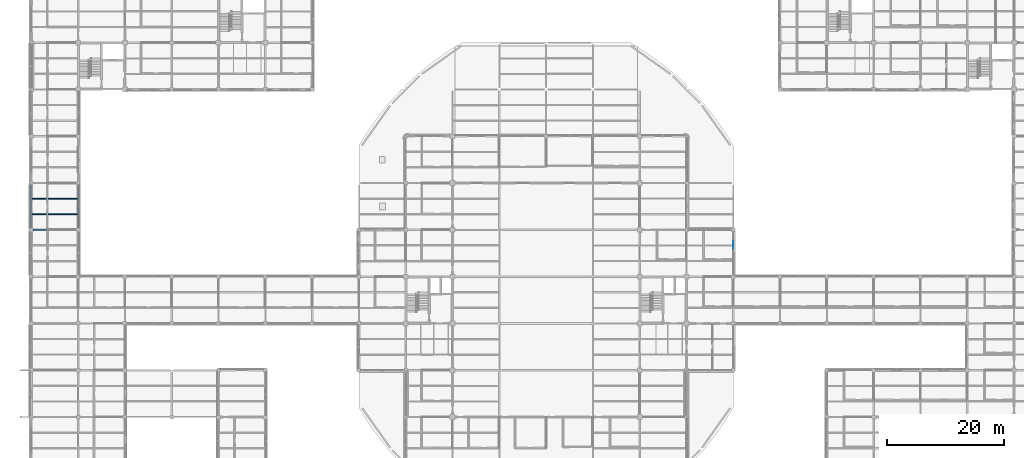
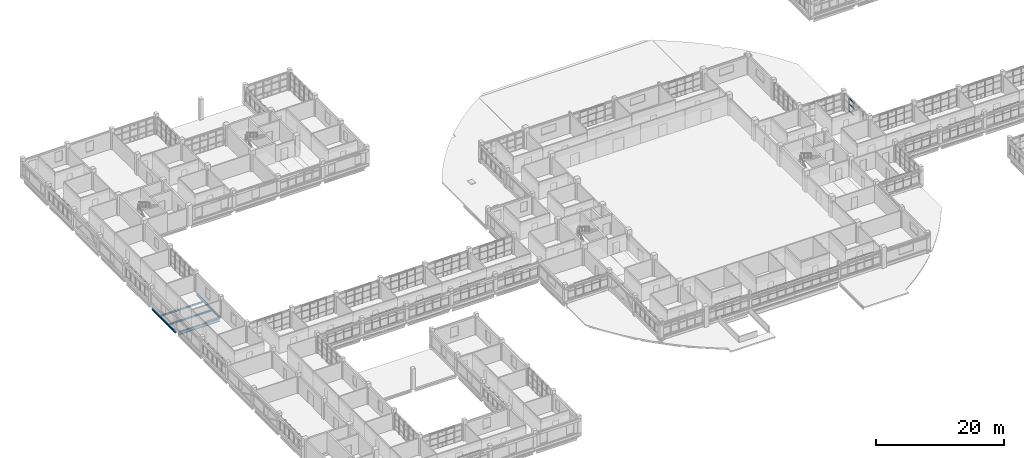
# One storey, part 31 of 126: 5 beams, 3 members, 1 element without a shape of its own.
"""IFC4 building model written with IfcOpenShell, lengths in metres."""

import ifcopenshell
import ifcopenshell.guid

model = None  # the IFC model being written
_history = None  # IfcOwnerHistory: only IFC2X3 demands one
_inside = {}  # id of a spatial element -> (the spatial element, [elements in it])
_under = {}  # id of a project, library or spatial element -> (it, [spatial elements below it])
_declared = {}  # id of a project -> (the project, [libraries it declares])
_typed = {}  # id of a type object -> (the type object, [elements of that type])
_made_of = {}  # id of a material, layer set ... -> (it, [elements and type objects made of it])


def new_model(schema):
    """Start an empty IFC model of exactly this schema.

    Asked for "IFC4X3", IfcOpenShell would pick the latest addendum, in which some entities
    have other attributes; the version numbers below select the first issue.
    IFC2X3 requires an IfcOwnerHistory on every rooted entity: one is made here for all.
    """
    global model, _history
    if schema == "IFC4X3":
        model = ifcopenshell.file(schema_version=(4, 3, 0, 0))
    else:
        model = ifcopenshell.file(schema=schema)
    _inside.clear()
    _under.clear()
    _declared.clear()
    _typed.clear()
    _made_of.clear()
    _history = None
    if model.schema == "IFC2X3":
        org = make("IfcOrganization", Name="unknown")
        user = make(
            "IfcPersonAndOrganization",
            ThePerson=make("IfcPerson", FamilyName="unknown"),
            TheOrganization=org,
        )
        app = make(
            "IfcApplication",
            ApplicationDeveloper=org,
            Version="unknown",
            ApplicationFullName="unknown",
            ApplicationIdentifier="unknown",
        )
        _history = make(
            "IfcOwnerHistory",
            OwningUser=user,
            OwningApplication=app,
            ChangeAction="ADDED",
            CreationDate=0,
        )
    return model


def make(cls, **values):
    """One entity of the class cls with the attributes given. An attribute that is None is left unset."""
    return model.create_entity(
        cls, **{name: value for name, value in values.items() if value is not None}
    )


def rooted(cls, **values):
    """An entity with a GlobalId (a new one), such as an element, a storey or a relation."""
    return make(cls, GlobalId=ifcopenshell.guid.new(), OwnerHistory=_history, **values)


def si_unit(unit_type, name, prefix=None):
    """IfcSIUnit, for example si_unit("LENGTHUNIT", "METRE", prefix="MILLI")."""
    return make("IfcSIUnit", UnitType=unit_type, Prefix=prefix, Name=name)


def derived_unit(unit_type, elements):
    """IfcDerivedUnit: a product of units, each with its exponent."""
    return make(
        "IfcDerivedUnit",
        Elements=[
            make("IfcDerivedUnitElement", Unit=unit, Exponent=power)
            for unit, power in elements
        ],
        UnitType=unit_type,
    )


def assignment(units):
    """IfcUnitAssignment: the units of a project."""
    return None if units is None else make("IfcUnitAssignment", Units=units)


def point(xyz):
    """IfcCartesianPoint."""
    return None if xyz is None else make("IfcCartesianPoint", Coordinates=xyz)


def direction(xyz):
    """IfcDirection."""
    return None if xyz is None else make("IfcDirection", DirectionRatios=xyz)


def frame(location, z_axis=None, x_axis=None):
    """IfcAxis2Placement3D, a coordinate frame: its origin and axes. An axis left out is left unset."""
    return make(
        "IfcAxis2Placement3D",
        Location=point(location),
        Axis=direction(z_axis),
        RefDirection=direction(x_axis),
    )


def frame_2d(location, x_axis=None):
    """IfcAxis2Placement2D, a coordinate frame in the plane: its origin and x axis."""
    return make(
        "IfcAxis2Placement2D", Location=point(location), RefDirection=direction(x_axis)
    )


def origin():
    """The frame at (0, 0, 0) with its axes left unset."""
    return frame((0.0, 0.0, 0.0))


def origin_2d():
    """The frame at (0, 0) in the plane with its x axis left unset."""
    return frame_2d((0.0, 0.0))


def place(relative_to, where):
    """IfcLocalPlacement: puts the frame where relative to a parent placement (None: the world)."""
    return make(
        "IfcLocalPlacement", PlacementRelTo=relative_to, RelativePlacement=where
    )


def context(
    kind, dimensions, precision=None, world=None, true_north=None, identifier=None
):
    """IfcGeometricRepresentationContext, for example the 3D "Model" context."""
    return make(
        "IfcGeometricRepresentationContext",
        ContextIdentifier=identifier,
        ContextType=kind,
        CoordinateSpaceDimension=dimensions,
        Precision=precision,
        WorldCoordinateSystem=world,
        TrueNorth=true_north,
    )


def subcontext(parent, identifier, kind, view, scale=None):
    """IfcGeometricRepresentationSubContext, for example "Body" below "Model"."""
    return make(
        "IfcGeometricRepresentationSubContext",
        ContextIdentifier=identifier,
        ContextType=kind,
        ParentContext=parent,
        TargetScale=scale,
        TargetView=view,
    )


def project(units=None, contexts=None):
    """IfcProject with its units and contexts."""
    return rooted(
        "IfcProject",
        Name="project",
        RepresentationContexts=contexts,
        UnitsInContext=assignment(units),
    )


def spatial(cls, under=None, at=None, **own):
    """A site, building, storey or space (cls), placed at a placement, below another one or the project."""
    s = rooted(cls, ObjectPlacement=at, **own)
    if under is not None:
        _under.setdefault(under.id(), (under, []))[1].append(s)
    return s


def profile(cls, at=None, kind="AREA", **sizes):
    """A parametric profile (cls). Its sizes go by their IFC names, for example OverallWidth=200.0."""
    return make(cls, ProfileType=kind, Position=at, **sizes)


def rectangle(**sizes):
    """IfcRectangleProfileDef."""
    return profile("IfcRectangleProfileDef", **sizes)


def i_section(**sizes):
    """IfcIShapeProfileDef."""
    return profile("IfcIShapeProfileDef", **sizes)


def extrude(swept, where, along, depth):
    """IfcExtrudedAreaSolid: the profile swept, set in the frame where, extruded along a direction by depth."""
    return make(
        "IfcExtrudedAreaSolid",
        SweptArea=swept,
        Position=where,
        ExtrudedDirection=direction(along),
        Depth=depth,
    )


def shape(context_of_items, identifier, shape_type, items):
    """IfcShapeRepresentation: the items that make up one representation, for example the "Body"."""
    return make(
        "IfcShapeRepresentation",
        ContextOfItems=context_of_items,
        RepresentationIdentifier=identifier,
        RepresentationType=shape_type,
        Items=items,
    )


def material(Name=None, Category=None):
    """IfcMaterial."""
    return make("IfcMaterial", Name=Name, Category=Category)


def layer(
    of_material, thickness, ventilated=None, Name=None, Category=None, Priority=None
):
    """IfcMaterialLayer: one layer of a wall or slab, of a material (None: an air gap)."""
    return make(
        "IfcMaterialLayer",
        Material=of_material,
        LayerThickness=thickness,
        IsVentilated=ventilated,
        Name=Name,
        Category=Category,
        Priority=Priority,
    )


def layer_set(layers, Name=None):
    """IfcMaterialLayerSet."""
    return make("IfcMaterialLayerSet", MaterialLayers=layers, LayerSetName=Name)


def material_profile(
    of_material, cross_section, Name=None, Category=None, Priority=None
):
    """IfcMaterialProfile: a cross section and its material."""
    return make(
        "IfcMaterialProfile",
        Name=Name,
        Material=of_material,
        Profile=cross_section,
        Priority=Priority,
        Category=Category,
    )


def profile_set(profiles, Name=None, composite=None):
    """IfcMaterialProfileSet."""
    return make(
        "IfcMaterialProfileSet",
        Name=Name,
        MaterialProfiles=profiles,
        CompositeProfile=composite,
    )


def made_of(thing, what):
    """Note that an element or type object is made of a material, layer set ...; save() writes the relation."""
    if what is not None:
        _made_of.setdefault(what.id(), (what, []))[1].append(thing)
    return thing


def type_object(cls, material=None, **own):
    """A type object (cls), such as IfcWallType, which elements share."""
    return made_of(rooted(cls, **own), material)


def element(
    cls,
    number,
    at=None,
    inside=None,
    cuts=None,
    type_object=None,
    material=None,
    context=None,
    identifier="Body",
    shape_type=None,
    held_by="IfcProductDefinitionShape",
    body=None,
    shapes=None,
    **own,
):
    """One element of the class cls, such as IfcWall. Its Tag is "e" and its number.

    at: its placement. inside: the storey or other place that contains it. cuts: it is an
    opening in that element (IfcRelVoidsElement). A single representation is given by context,
    identifier, shape_type and body (its items); several are given by shapes. held_by: the class
    of the entity that holds the representations. save() writes the other relations.
    """
    e = rooted(cls, Tag="e%d" % number, ObjectPlacement=at, **own)
    if body is not None:
        shapes = [shape(context, identifier, shape_type, body)]
    if shapes is not None:
        e.Representation = make(held_by, Representations=shapes)
    if inside is not None:
        _inside.setdefault(inside.id(), (inside, []))[1].append(e)
    if cuts is not None:
        rooted(
            "IfcRelVoidsElement", RelatingBuildingElement=cuts, RelatedOpeningElement=e
        )
    if type_object is not None:
        _typed.setdefault(type_object.id(), (type_object, []))[1].append(e)
    return made_of(e, material)


def aggregate(whole, parts):
    """IfcRelAggregates: a whole, such as a stair, and the parts it consists of."""
    return rooted("IfcRelAggregates", RelatingObject=whole, RelatedObjects=parts)


def save(model, path):
    """Write the relations noted so far, then the file.

    IfcRelAggregates (storeys below a building ...), IfcRelContainedInSpatialStructure (elements
    in a storey), IfcRelDefinesByType, IfcRelAssociatesMaterial and IfcRelDeclares: one each for
    every whole, place, type object, material and project.
    """
    for whole, parts in _under.values():
        aggregate(whole, parts)
    for where, things in _inside.values():
        rooted(
            "IfcRelContainedInSpatialStructure",
            RelatedElements=things,
            RelatingStructure=where,
        )
    for kind, things in _typed.values():
        rooted("IfcRelDefinesByType", RelatedObjects=things, RelatingType=kind)
    for what, things in _made_of.values():
        rooted("IfcRelAssociatesMaterial", RelatedObjects=things, RelatingMaterial=what)
    for by, libraries in _declared.values():
        rooted("IfcRelDeclares", RelatingContext=by, RelatedDefinitions=libraries)
    model.write(path)


model = new_model("IFC4")

# Units and contexts
model_context = context("Model", 3, precision=1e-05, world=origin(), true_north=direction((0.0, 1.0)))
body_context = subcontext(model_context, "Body", "Model", "MODEL_VIEW")
ifc_project = project(units=[si_unit("LENGTHUNIT", "METRE"), si_unit("AREAUNIT", "SQUARE_METRE"), si_unit("VOLUMEUNIT", "CUBIC_METRE"), si_unit("PLANEANGLEUNIT", "RADIAN"), si_unit("MASSUNIT", "GRAM", prefix="KILO"), derived_unit("THERMALTRANSMITTANCEUNIT", [(si_unit("MASSUNIT", "GRAM", prefix="KILO"), 1), (si_unit("TIMEUNIT", "SECOND"), -3), (si_unit("THERMODYNAMICTEMPERATUREUNIT", "KELVIN"), -1)])], contexts=[model_context])

# Site, building, storey
site_placement = place(None, origin())
site = spatial("IfcSite", under=ifc_project, at=site_placement, CompositionType="ELEMENT")
building_placement = place(site_placement, origin())
building = spatial("IfcBuilding", under=site, at=building_placement, Name="Veyamyaing Civic Hall", CompositionType="ELEMENT")
storey_placement = place(building_placement, frame((0.0, 0.0, 9.89990234375)))
storey = spatial("IfcBuildingStorey", under=building, at=storey_placement, Name="L02", CompositionType="ELEMENT", Elevation=9.89990234375)

# Beams
ifc_material_1 = material(Name="Steel ASTM A992", Category="steel")
ifc_material_profile_1 = material_profile(ifc_material_1, i_section(OverallWidth=0.22802734375, OverallDepth=0.60791015625, WebThickness=0.01123046875, FlangeThickness=0.017333984375, FilletRadius=0.012939453125, at=origin_2d()), Name="W610X113")
ifc_profile_set_1 = profile_set([ifc_material_profile_1], Name="Steel ASTM A992")
beam_type_1 = type_object("IfcBeamType", Name="B-06", PredefinedType="BEAM", material=ifc_profile_set_1)
beam_1_placement = place(storey_placement, frame((0.300048828125, 64.0, -0.5888671875), z_axis=(1.0, 0.0, 0.0), x_axis=(0.0, 1.0, 0.0)))
element("IfcBeam", 1, at=beam_1_placement, inside=storey, type_object=beam_type_1, Name="Girder B-06 L02 Grid J 1-2", PredefinedType="BEAM", context=body_context, shape_type="SweptSolid", body=[
    extrude(i_section(OverallWidth=0.22802734375, OverallDepth=0.60791015625, WebThickness=0.01123046875, FlangeThickness=0.017333984375, FilletRadius=0.012939453125, at=origin_2d()), origin(), (0.0, 0.0, 1.0), 7.39990234375),
])
ifc_material_profile_2 = material_profile(ifc_material_1, i_section(OverallWidth=0.179931640625, OverallDepth=0.4130859375, WebThickness=0.009765625, FlangeThickness=0.01611328125, FilletRadius=0.010009765625, at=origin_2d()), Name="W410X74")
ifc_profile_set_2 = profile_set([ifc_material_profile_2], Name="Steel ASTM A992")
beam_type_2 = type_object("IfcBeamType", Name="B-10", PredefinedType="SPANDREL", material=ifc_profile_set_2)
beam_2_placement = place(storey_placement, frame((8.0, 64.300048828125, -0.491455078125), z_axis=(0.0, 1.0, 0.0), x_axis=(-1.0, 0.0, 0.0)))
element("IfcBeam", 2, at=beam_2_placement, inside=storey, type_object=beam_type_2, Name="Girder B-10 L02 Grid 2 J-K", PredefinedType="SPANDREL", context=body_context, shape_type="SweptSolid", body=[
    extrude(i_section(OverallWidth=0.179931640625, OverallDepth=0.4130859375, WebThickness=0.009765625, FlangeThickness=0.01611328125, FilletRadius=0.010009765625, at=origin_2d()), origin(), (0.0, 0.0, 1.0), 7.39990234375),
])
ifc_material_profile_3 = material_profile(ifc_material_1, i_section(OverallWidth=0.25390625, OverallDepth=0.35302734375, WebThickness=0.009521484375, FlangeThickness=0.016357421875, FilletRadius=0.011962890625, at=origin_2d()), Name="W360X91")
ifc_profile_set_3 = profile_set([ifc_material_profile_3], Name="Steel ASTM A992")
beam_type_3 = type_object("IfcBeamType", Name="B-20", PredefinedType="SPANDREL", material=ifc_profile_set_3)
beam_3_placement = place(storey_placement, frame((0.0, 64.300048828125, -0.46142578125), z_axis=(0.0, 1.0, 0.0), x_axis=(-1.0, 0.0, 0.0)))
element("IfcBeam", 3, at=beam_3_placement, inside=storey, type_object=beam_type_3, Name="Girder B-20 L02 Grid 1 J-K", PredefinedType="SPANDREL", context=body_context, shape_type="SweptSolid", body=[
    extrude(i_section(OverallWidth=0.25390625, OverallDepth=0.35302734375, WebThickness=0.009521484375, FlangeThickness=0.016357421875, FilletRadius=0.011962890625, at=origin_2d()), origin(), (0.0, 0.0, 1.0), 7.39990234375),
])

# Curtain wall, members
ifc_material_2 = material(Name="Anodised aluminium 6063-T6", Category="aluminium")
ifc_layer = layer(ifc_material_2, 0.159912109375, Name="Anodised aluminium 6063-T6")
ifc_layer_set = layer_set([ifc_layer], Name="Anodised aluminium 6063-T6")
curtain_wall_type = type_object("IfcCurtainWallType", Name="CW-03", PredefinedType="NOTDEFINED", material=ifc_layer_set)
curtain_wall_placement = place(storey_placement, origin())
curtain_wall = element("IfcCurtainWall", 4, at=curtain_wall_placement, inside=storey, type_object=curtain_wall_type, Name="Unitized curtain wall CW-03 L02 E 15.8", PredefinedType="NOTDEFINED")
ifc_material_profile_4 = material_profile(ifc_material_2, rectangle(XDim=0.06494140625, YDim=0.1201171875, at=origin_2d()), Name="ALU-TRN-65X120")
ifc_profile_set_4 = profile_set([ifc_material_profile_4], Name="Anodised aluminium 6063-T6")
member_type = type_object("IfcMemberType", Name="CWT-01", PredefinedType="USERDEFINED", material=ifc_profile_set_4)
member_1_placement = place(storey_placement, frame((120.0, 60.7666015625, 0.900146484375), z_axis=(0.0, 1.0, 0.0), x_axis=(-1.0, 0.0, 0.0)))
member_1 = element("IfcMember", 5, at=member_1_placement, type_object=member_type, Name="CW-03 transom 4.2", ObjectType="TRANSOM", PredefinedType="USERDEFINED", context=body_context, shape_type="SweptSolid", body=[
    extrude(rectangle(XDim=0.06494140625, YDim=0.1201171875, at=origin_2d()), origin(), (0.0, 0.0, 1.0), 1.40283203125),
])
member_2_placement = place(storey_placement, frame((120.0, 60.7666015625, 2.23046875), z_axis=(0.0, 1.0, 0.0), x_axis=(-1.0, 0.0, 0.0)))
member_2 = element("IfcMember", 6, at=member_2_placement, type_object=member_type, Name="CW-03 transom 4.3", ObjectType="TRANSOM", PredefinedType="USERDEFINED", context=body_context, shape_type="SweptSolid", body=[
    extrude(rectangle(XDim=0.06494140625, YDim=0.1201171875, at=origin_2d()), origin(), (0.0, 0.0, 1.0), 1.40283203125),
])
member_3_placement = place(storey_placement, frame((120.0, 60.7666015625, 3.24755859375), z_axis=(0.0, 1.0, 0.0), x_axis=(-1.0, 0.0, 0.0)))
member_3 = element("IfcMember", 7, at=member_3_placement, type_object=member_type, Name="CW-03 transom 4.4", ObjectType="TRANSOM", PredefinedType="USERDEFINED", context=body_context, shape_type="SweptSolid", body=[
    extrude(rectangle(XDim=0.06494140625, YDim=0.1201171875, at=origin_2d()), origin(), (0.0, 0.0, 1.0), 1.40283203125),
])
aggregate(curtain_wall, [member_1, member_2, member_3])

# Beams
ifc_material_profile_5 = material_profile(ifc_material_1, i_section(OverallWidth=0.1669921875, OverallDepth=0.318115234375, WebThickness=0.007568359375, FlangeThickness=0.01318359375, FilletRadius=0.010009765625, at=origin_2d()), Name="W310X52")
ifc_profile_set_5 = profile_set([ifc_material_profile_5], Name="Steel ASTM A992")
beam_type_4 = type_object("IfcBeamType", Name="J-04", PredefinedType="JOIST", material=ifc_profile_set_5)
for number, where, z_axis, x_axis, name in (
    (8, (0.125, 66.666748046875, -0.44384765625), (1.0, 0.0, 0.0), (0.0, 1.0, 0.0), "Composite floor joist J-04 L02 1.9.1"),
    (9, (0.125, 69.333251953125, -0.44384765625), (1.0, 0.0, 0.0), (0.0, 1.0, 0.0), "Composite floor joist J-04 L02 1.9.2"),
):
    element("IfcBeam", number, at=place(storey_placement, frame(where, z_axis=z_axis, x_axis=x_axis)), inside=storey, type_object=beam_type_4, Name=name, PredefinedType="JOIST", context=body_context, shape_type="SweptSolid", body=[
        extrude(i_section(OverallWidth=0.1669921875, OverallDepth=0.318115234375, WebThickness=0.007568359375, FlangeThickness=0.01318359375, FilletRadius=0.010009765625, at=origin_2d()), origin(), (0.0, 0.0, 1.0), 7.787109375),
    ])

save(model, "model.ifc")
